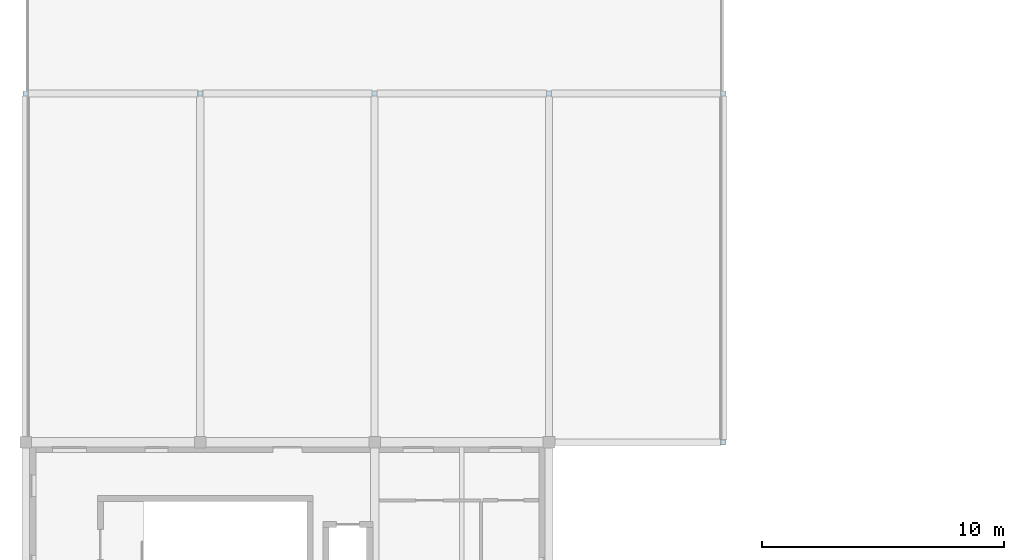
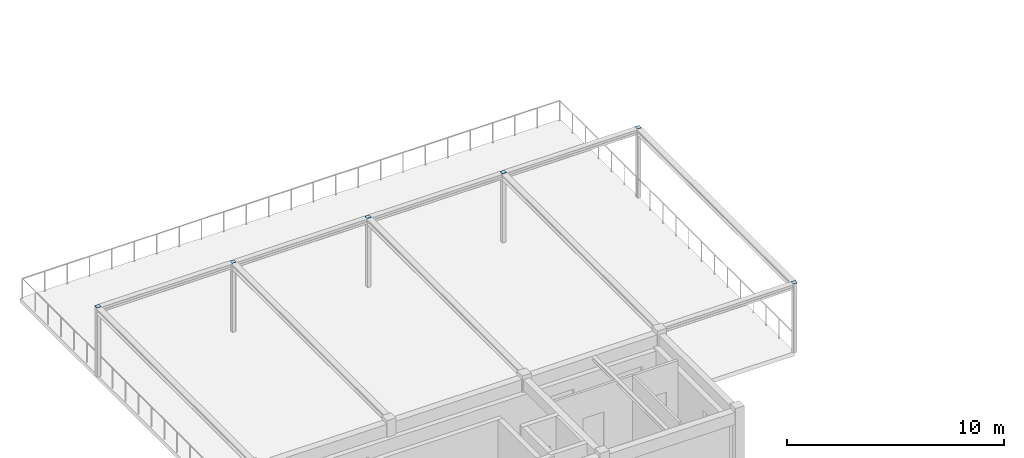
# One storey, part 7 of 20: 6 plates.
"""IFC4 building model written with IfcOpenShell, lengths in metres."""

from ifc_helpers import new_model, si_unit, direction, frame, origin, origin_2d, place, context, subcontext, project, spatial, rectangle, extrude, material, layer, layer_set, type_object, element, save


model = new_model("IFC4")

# Units and contexts
model_context = context("Model", 3, precision=1e-05, world=origin(), true_north=direction((0.0, 1.0)))
body_context = subcontext(model_context, "Body", "Model", "MODEL_VIEW")
ifc_project = project(units=[si_unit("LENGTHUNIT", "METRE"), si_unit("AREAUNIT", "SQUARE_METRE"), si_unit("VOLUMEUNIT", "CUBIC_METRE"), si_unit("PLANEANGLEUNIT", "RADIAN"), si_unit("MASSUNIT", "GRAM", prefix="KILO")], contexts=[model_context])

# Site, building, storey
site_placement = place(None, origin())
site = spatial("IfcSite", under=ifc_project, at=site_placement, CompositionType="ELEMENT")
building_placement = place(site_placement, origin())
building = spatial("IfcBuilding", under=site, at=building_placement, Name="Bramveld Media Centre", CompositionType="ELEMENT")
storey_placement = place(building_placement, frame((0.0, 0.0, 18.0)))
storey = spatial("IfcBuildingStorey", under=building, at=storey_placement, Name="L04", CompositionType="ELEMENT", Elevation=18.0)

# Plates
ifc_material = material(Name="Steel S355J2", Category="steel")
ifc_layer = layer(ifc_material, 0.013916015625)
ifc_layer_set = layer_set([ifc_layer], Name="Steel S355J2")
plate_type = type_object("IfcPlateType", Name="PLT-CAP-14", PredefinedType="USERDEFINED", material=ifc_layer_set)
for number, where, z_axis, x_axis, name in (
    (1, (0.0, 60.800048828125, 3.89990234375), (0.0, 0.0, 1.0), (1.0, 0.0, 0.0), "Hollow section end cap plate CAP-CAN-000-608"),
    (2, (7.199951171875, 60.800048828125, 3.89990234375), (0.0, 0.0, 1.0), (1.0, 0.0, 0.0), "Hollow section end cap plate CAP-CAN-072-608"),
    (3, (14.39990234375, 60.800048828125, 3.89990234375), (0.0, 0.0, 1.0), (1.0, 0.0, 0.0), "Hollow section end cap plate CAP-CAN-144-608"),
    (4, (21.60009765625, 60.800048828125, 3.89990234375), (0.0, 0.0, 1.0), (1.0, 0.0, 0.0), "Hollow section end cap plate CAP-CAN-216-608"),
    (5, (28.800048828125, 46.39990234375, 3.89990234375), (0.0, 0.0, 1.0), (1.0, 0.0, 0.0), "Hollow section end cap plate CAP-CAN-288-464"),
    (6, (28.800048828125, 60.800048828125, 3.89990234375), (0.0, 0.0, 1.0), (1.0, 0.0, 0.0), "Hollow section end cap plate CAP-CAN-288-608"),
):
    element("IfcPlate", number, at=place(storey_placement, frame(where, z_axis=z_axis, x_axis=x_axis)), inside=storey, type_object=plate_type, Name=name, ObjectType="CAP PLATE", PredefinedType="USERDEFINED", context=body_context, shape_type="SweptSolid", body=[
        extrude(rectangle(XDim=0.219970703125, YDim=0.219970703125, at=origin_2d()), origin(), (0.0, 0.0, 1.0), 0.013916015625),
    ])

save(model, "model.ifc")
